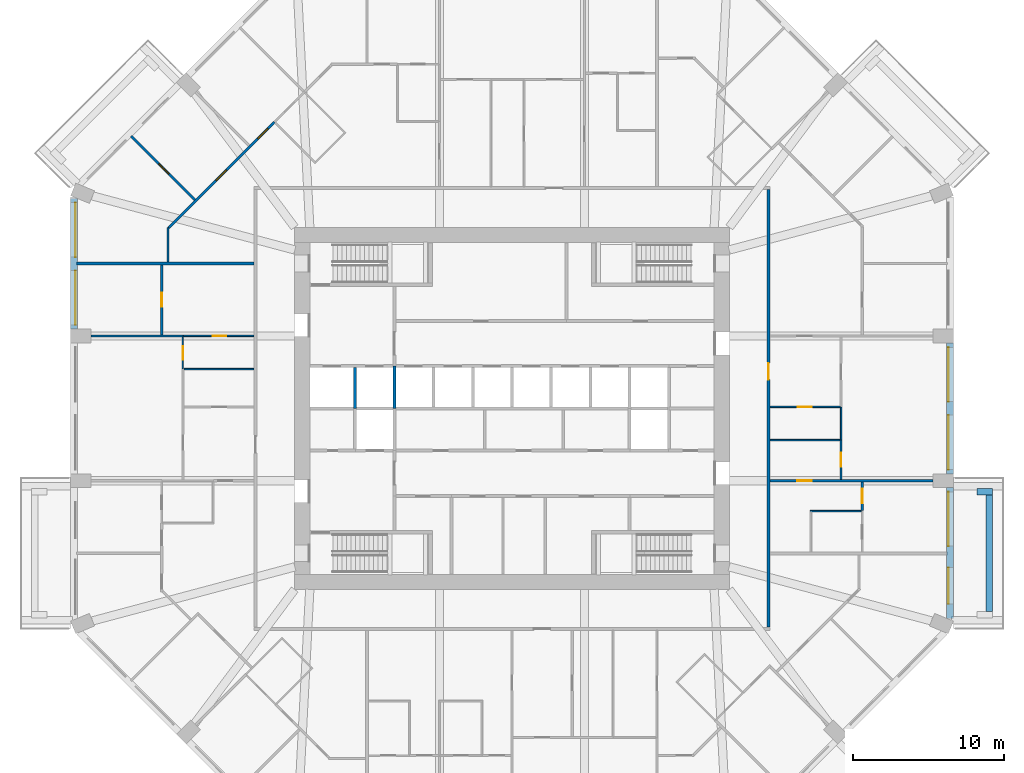
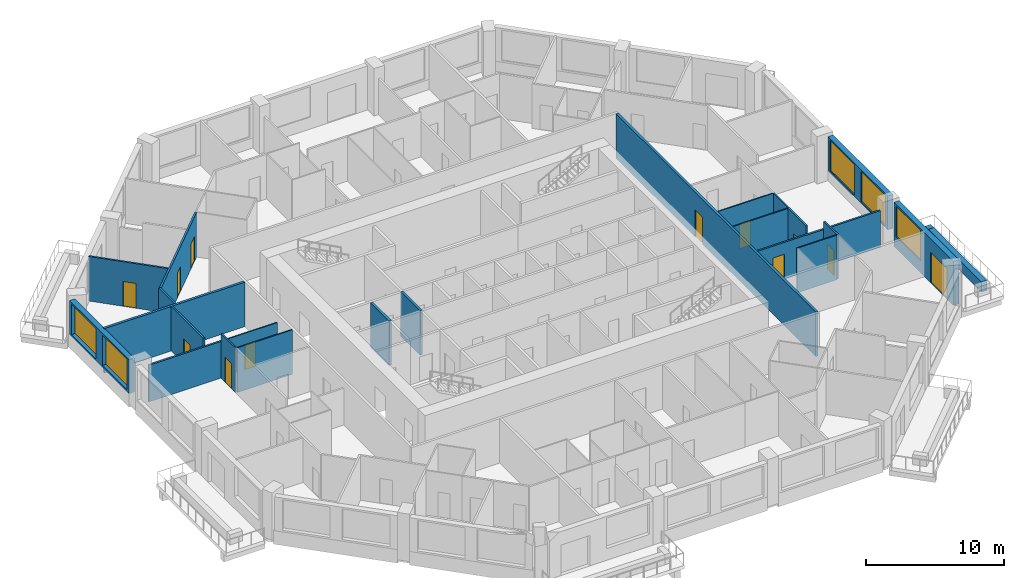
# One storey, part 7 of 13: 24 walls, 12 doors, 5 windows, 17 openings.
"""IFC4 building model written with IfcOpenShell, lengths in metres."""

from ifc_helpers import new_model, si_unit, direction, frame, frame_2d, origin, place, context, subcontext, project, spatial, rectangle, extrude, material, layer, layer_set, type_object, element, fill, save


model = new_model("IFC4")

# Units and contexts
model_context = context("Model", 3, precision=1e-05, world=origin(), true_north=direction((0.0, 1.0)))
body_context = subcontext(model_context, "Body", "Model", "MODEL_VIEW")
ifc_project = project(units=[si_unit("LENGTHUNIT", "METRE"), si_unit("AREAUNIT", "SQUARE_METRE"), si_unit("VOLUMEUNIT", "CUBIC_METRE"), si_unit("PLANEANGLEUNIT", "RADIAN"), si_unit("MASSUNIT", "GRAM", prefix="KILO")], contexts=[model_context])

# Site, building, storey
site_placement = place(None, origin())
site = spatial("IfcSite", under=ifc_project, at=site_placement, CompositionType="ELEMENT")
building_placement = place(site_placement, origin())
building = spatial("IfcBuilding", under=site, at=building_placement, Name="Msitu Wima Residences", CompositionType="ELEMENT")
storey_placement = place(building_placement, frame((0.0, 0.0, 54.89990234375)))
storey = spatial("IfcBuildingStorey", under=building, at=storey_placement, Name="L12", CompositionType="ELEMENT", Elevation=54.89990234375)

# Walls
ifc_material_1 = material(Name="Facing brick")
ifc_layer_1 = layer(ifc_material_1, 0.06494140625, Name="Facing brick")
ifc_material_2 = material(Name="Concrete C40/50", Category="concrete")
ifc_layer_2 = layer(ifc_material_2, 0.156005859375, Name="Concrete C40/50")
ifc_material_3 = material(Name="Waterproofing membrane")
ifc_layer_3 = layer(ifc_material_3, 0.00390625, Name="Waterproofing membrane")
ifc_material_4 = material(Name="Planting soil and planting")
ifc_layer_4 = layer(ifc_material_4, 0.22509765625, Name="Planting soil and planting")
ifc_layer_set_1 = layer_set([ifc_layer_1, ifc_layer_2, ifc_layer_3, ifc_layer_4], Name="Concrete C40/50")
wall_type_1 = type_object("IfcWallType", Name="Balcony planter PLANTER PL450", PredefinedType="USERDEFINED", material=ifc_layer_set_1)
wall_1_placement = place(storey_placement, frame((31.625, -13.449951171875, 0.0), z_axis=(0.0, 0.0, 1.0), x_axis=(0.0, 1.0, 0.0)))
element("IfcWall", 1, at=wall_1_placement, inside=storey, type_object=wall_type_1, Name="Balcony planter E0 L12", ObjectType="PLANTER", PredefinedType="USERDEFINED", context=body_context, shape_type="SweptSolid", body=[
    extrude(rectangle(XDim=7.699951171875, YDim=0.449951171875, at=frame_2d((3.85009765625, 0.0))), origin(), (0.0, 0.0, 1.0), 0.900146484375),
])
wall_2_placement = place(storey_placement, frame((30.800048828125, -5.52490234375, 0.0), z_axis=(0.0, 0.0, 1.0), x_axis=(1.0, 0.0, 0.0)))
element("IfcWall", 2, at=wall_2_placement, inside=storey, type_object=wall_type_1, Name="Balcony planter E0 L12", ObjectType="PLANTER", PredefinedType="USERDEFINED", context=body_context, shape_type="SweptSolid", body=[
    extrude(rectangle(XDim=1.050048828125, YDim=0.449951171875, at=frame_2d((0.52490234375, 0.0))), origin(), (0.0, 0.0, 1.0), 0.900146484375),
])

# Wall, openings, door, window
ifc_material_5 = material(Name="Brick (red buff mix)", Category="masonry")
ifc_layer_5 = layer(ifc_material_5, 0.449951171875)
ifc_layer_set_2 = layer_set([ifc_layer_5], Name="Brick (red buff mix)")
wall_type_2 = type_object("IfcWallType", Name="Brick infill wall BW450", PredefinedType="SOLIDWALL", material=ifc_layer_set_2)
wall_3_placement = place(storey_placement, frame((29.02490234375, -13.912841796875, 0.0), z_axis=(0.0, 0.0, 1.0), x_axis=(0.0, 1.0, 0.0)))
wall_3 = element("IfcWall", 3, at=wall_3_placement, inside=storey, type_object=wall_type_2, Name="Brick infill wall L12 E0", PredefinedType="SOLIDWALL", context=body_context, shape_type="SweptSolid", body=[
    extrude(rectangle(XDim=8.662841796875, YDim=0.449951171875, at=frame_2d((4.33154296875, 0.0))), origin(), (0.0, 0.0, 1.0), 3.900146484375),
])
opening_1_placement = place(wall_3_placement, frame((0.9658203125, 0.0, 0.0)))
opening_1 = element("IfcOpeningElement", 4, at=opening_1_placement, cuts=wall_3, Name="Opening D11-12.001", PredefinedType="OPENING", context=body_context, shape_type="SweptSolid", body=[
    extrude(rectangle(XDim=2.39990234375, YDim=2.699951171875, at=frame_2d((1.199951171875, 1.35009765625))), frame((0.0, 0.23486328125, 0.0), z_axis=(0.0, -1.0, 0.0), x_axis=(1.0, 0.0, 0.0)), (0.0, 0.0, 1.0), 0.469970703125),
])
opening_2_placement = place(wall_3_placement, frame((4.781494140625, 0.0, 1.050048828125)))
opening_2 = element("IfcOpeningElement", 5, at=opening_2_placement, cuts=wall_3, Name="Opening W11-12.001", PredefinedType="OPENING", context=body_context, shape_type="SweptSolid", body=[
    extrude(rectangle(XDim=3.60009765625, YDim=2.699951171875, at=frame_2d((1.800048828125, 1.35009765625))), frame((0.0, 0.23486328125, 0.0), z_axis=(0.0, -1.0, 0.0), x_axis=(1.0, 0.0, 0.0)), (0.0, 0.0, 1.0), 0.469970703125),
])
ifc_material_6 = material(Name="Anodised aluminium, bronze finish, clear low-emissivity double glazing", Category="aluminium")
door_type_1 = type_object("IfcDoorType", Name="Balcony door D2400x2700", OperationType="SLIDING_TO_LEFT", PredefinedType="DOOR", material=ifc_material_6)
door_1_placement = place(opening_1_placement, origin())
door_1 = element("IfcDoor", 6, at=door_1_placement, inside=storey, type_object=door_type_1, Name="Balcony door L12 E0", OperationType="SINGLE_SWING_LEFT", OverallHeight=2.699951171875, OverallWidth=2.39990234375, PredefinedType="DOOR", context=body_context, shape_type="SweptSolid", body=[
    extrude(rectangle(XDim=2.39990234375, YDim=2.699951171875, at=frame_2d((1.199951171875, 1.35009765625))), frame((0.0, 0.1298828125, 0.0), z_axis=(0.0, -1.0, 0.0), x_axis=(1.0, 0.0, 0.0)), (0.0, 0.0, 1.0), 0.050048828125),
])
fill(opening_1, door_1)
window_type = type_object("IfcWindowType", Name="Window W3600x2700", PartitioningType="DOUBLE_PANEL_VERTICAL", PredefinedType="WINDOW", material=ifc_material_6)
window_1_placement = place(opening_2_placement, origin())
window_1 = element("IfcWindow", 7, at=window_1_placement, inside=storey, type_object=window_type, Name="Window L12 E0.2", OverallHeight=2.699951171875, OverallWidth=3.60009765625, PartitioningType="SINGLE_PANEL", PredefinedType="WINDOW", context=body_context, shape_type="SweptSolid", body=[
    extrude(rectangle(XDim=3.60009765625, YDim=2.699951171875, at=frame_2d((1.800048828125, 1.35009765625))), frame((0.0, 0.135009765625, 0.0), z_axis=(0.0, -1.0, 0.0), x_axis=(1.0, 0.0, 0.0)), (0.0, 0.0, 1.0), 0.06005859375),
])
fill(opening_2, window_1)

# Wall, openings, windows
wall_4_placement = place(storey_placement, frame((29.02490234375, -4.35009765625, 0.900146484375), z_axis=(0.0, 0.0, 1.0), x_axis=(0.0, 1.0, 0.0)))
wall_4 = element("IfcWall", 8, at=wall_4_placement, inside=storey, type_object=wall_type_2, Name="Brick infill wall L12 E1", PredefinedType="SOLIDWALL", context=body_context, shape_type="SweptSolid", body=[
    extrude(rectangle(XDim=8.7001953125, YDim=0.449951171875, at=frame_2d((4.35009765625, 0.0))), origin(), (0.0, 0.0, 1.0), 3.0),
])
opening_3_placement = place(wall_4_placement, frame((0.300048828125, 0.0, 0.14990234375)))
opening_3 = element("IfcOpeningElement", 9, at=opening_3_placement, cuts=wall_4, Name="Opening W11-12.002", PredefinedType="OPENING", context=body_context, shape_type="SweptSolid", body=[
    extrude(rectangle(XDim=3.60009765625, YDim=2.699951171875, at=frame_2d((1.800048828125, 1.35009765625))), frame((0.0, 0.23486328125, 0.0), z_axis=(0.0, -1.0, 0.0), x_axis=(1.0, 0.0, 0.0)), (0.0, 0.0, 1.0), 0.469970703125),
])
opening_4_placement = place(wall_4_placement, frame((4.800048828125, 0.0, 0.14990234375)))
opening_4 = element("IfcOpeningElement", 10, at=opening_4_placement, cuts=wall_4, Name="Opening W11-12.003", PredefinedType="OPENING", context=body_context, shape_type="SweptSolid", body=[
    extrude(rectangle(XDim=3.60009765625, YDim=2.699951171875, at=frame_2d((1.800048828125, 1.35009765625))), frame((0.0, 0.23486328125, 0.0), z_axis=(0.0, -1.0, 0.0), x_axis=(1.0, 0.0, 0.0)), (0.0, 0.0, 1.0), 0.469970703125),
])
window_2_placement = place(opening_3_placement, origin())
window_2 = element("IfcWindow", 11, at=window_2_placement, inside=storey, type_object=window_type, Name="Window L12 E1.1", OverallHeight=2.699951171875, OverallWidth=3.60009765625, PartitioningType="SINGLE_PANEL", PredefinedType="WINDOW", context=body_context, shape_type="SweptSolid", body=[
    extrude(rectangle(XDim=3.60009765625, YDim=2.699951171875, at=frame_2d((1.800048828125, 1.35009765625))), frame((0.0, 0.135009765625, 0.0), z_axis=(0.0, -1.0, 0.0), x_axis=(1.0, 0.0, 0.0)), (0.0, 0.0, 1.0), 0.06005859375),
])
fill(opening_3, window_2)
window_3_placement = place(opening_4_placement, origin())
window_3 = element("IfcWindow", 12, at=window_3_placement, inside=storey, type_object=window_type, Name="Window L12 E1.2", OverallHeight=2.699951171875, OverallWidth=3.60009765625, PartitioningType="SINGLE_PANEL", PredefinedType="WINDOW", context=body_context, shape_type="SweptSolid", body=[
    extrude(rectangle(XDim=3.60009765625, YDim=2.699951171875, at=frame_2d((1.800048828125, 1.35009765625))), frame((0.0, 0.135009765625, 0.0), z_axis=(0.0, -1.0, 0.0), x_axis=(1.0, 0.0, 0.0)), (0.0, 0.0, 1.0), 0.06005859375),
])
fill(opening_4, window_3)

wall_5_placement = place(storey_placement, frame((-29.02490234375, 13.912841796875, 0.900146484375), z_axis=(0.0, 0.0, 1.0), x_axis=(0.0, -1.0, 0.0)))
wall_5 = element("IfcWall", 13, at=wall_5_placement, inside=storey, type_object=wall_type_2, Name="Brick infill wall L12 W0", PredefinedType="SOLIDWALL", context=body_context, shape_type="SweptSolid", body=[
    extrude(rectangle(XDim=8.662841796875, YDim=0.449951171875, at=frame_2d((4.33154296875, 0.0))), origin(), (0.0, 0.0, 1.0), 3.0),
])
opening_5_placement = place(wall_5_placement, frame((0.281494140625, 0.0, 0.14990234375)))
opening_5 = element("IfcOpeningElement", 14, at=opening_5_placement, cuts=wall_5, Name="Opening W11-12.029", PredefinedType="OPENING", context=body_context, shape_type="SweptSolid", body=[
    extrude(rectangle(XDim=3.60009765625, YDim=2.699951171875, at=frame_2d((1.800048828125, 1.35009765625))), frame((0.0, 0.23486328125, 0.0), z_axis=(0.0, -1.0, 0.0), x_axis=(1.0, 0.0, 0.0)), (0.0, 0.0, 1.0), 0.469970703125),
])
opening_6_placement = place(wall_5_placement, frame((4.781494140625, 0.0, 0.14990234375)))
opening_6 = element("IfcOpeningElement", 15, at=opening_6_placement, cuts=wall_5, Name="Opening W11-12.030", PredefinedType="OPENING", context=body_context, shape_type="SweptSolid", body=[
    extrude(rectangle(XDim=3.60009765625, YDim=2.699951171875, at=frame_2d((1.800048828125, 1.35009765625))), frame((0.0, 0.23486328125, 0.0), z_axis=(0.0, -1.0, 0.0), x_axis=(1.0, 0.0, 0.0)), (0.0, 0.0, 1.0), 0.469970703125),
])
window_4_placement = place(opening_5_placement, origin())
window_4 = element("IfcWindow", 16, at=window_4_placement, inside=storey, type_object=window_type, Name="Window L12 W0.1", OverallHeight=2.699951171875, OverallWidth=3.60009765625, PartitioningType="SINGLE_PANEL", PredefinedType="WINDOW", context=body_context, shape_type="SweptSolid", body=[
    extrude(rectangle(XDim=3.60009765625, YDim=2.699951171875, at=frame_2d((1.800048828125, 1.35009765625))), frame((0.0, 0.135009765625, 0.0), z_axis=(0.0, -1.0, 0.0), x_axis=(1.0, 0.0, 0.0)), (0.0, 0.0, 1.0), 0.06005859375),
])
fill(opening_5, window_4)
window_5_placement = place(opening_6_placement, origin())
window_5 = element("IfcWindow", 17, at=window_5_placement, inside=storey, type_object=window_type, Name="Window L12 W0.2", OverallHeight=2.699951171875, OverallWidth=3.60009765625, PartitioningType="SINGLE_PANEL", PredefinedType="WINDOW", context=body_context, shape_type="SweptSolid", body=[
    extrude(rectangle(XDim=3.60009765625, YDim=2.699951171875, at=frame_2d((1.800048828125, 1.35009765625))), frame((0.0, 0.135009765625, 0.0), z_axis=(0.0, -1.0, 0.0), x_axis=(1.0, 0.0, 0.0)), (0.0, 0.0, 1.0), 0.06005859375),
])
fill(opening_6, window_5)

# Wall, opening, door
ifc_material_7 = material(Name="Plaster")
ifc_layer_6 = layer(ifc_material_7, 0.011962890625, Name="Plaster")
ifc_material_8 = material(Name="Concrete blockwork", Category="masonry")
ifc_layer_7 = layer(ifc_material_8, 0.176025390625, Name="Concrete blockwork")
ifc_layer_8 = layer(ifc_material_7, 0.011962890625, Name="Plaster")
ifc_layer_set_3 = layer_set([ifc_layer_6, ifc_layer_7, ifc_layer_8], Name="Concrete blockwork")
wall_type_3 = type_object("IfcWallType", Name="Corridor wall FW200", PredefinedType="PARTITIONING", material=ifc_layer_set_3)
wall_6_placement = place(storey_placement, frame((17.0, -14.5, 0.0), z_axis=(0.0, 0.0, 1.0), x_axis=(0.0, 1.0, 0.0)))
wall_6 = element("IfcWall", 18, at=wall_6_placement, inside=storey, type_object=wall_type_3, Name="Corridor wall", PredefinedType="PARTITIONING", context=body_context, shape_type="SweptSolid", body=[
    extrude(rectangle(XDim=29.0, YDim=0.199951171875, at=frame_2d((14.5, 0.0))), origin(), (0.0, 0.0, 1.0), 3.9501953125),
])
opening_7_placement = place(wall_6_placement, frame((16.39990234375, 0.0, 0.0)))
opening_7 = element("IfcOpeningElement", 19, at=opening_7_placement, cuts=wall_6, Name="Opening D11-12.008", PredefinedType="OPENING", context=body_context, shape_type="SweptSolid", body=[
    extrude(rectangle(XDim=1.10009765625, YDim=2.39990234375, at=frame_2d((0.550048828125, 1.199951171875))), frame((0.0, 0.10986328125, 0.0), z_axis=(0.0, -1.0, 0.0), x_axis=(1.0, 0.0, 0.0)), (0.0, 0.0, 1.0), 0.219970703125),
])
ifc_material_9 = material(Name="Timber flush door, fire resisting, self-closing", Category="wood")
door_type_2 = type_object("IfcDoorType", Name="Flat entrance door D01 1100x2400", OperationType="SINGLE_SWING_LEFT", PredefinedType="DOOR", material=ifc_material_9)
door_2_placement = place(opening_7_placement, origin())
door_2 = element("IfcDoor", 20, at=door_2_placement, inside=storey, type_object=door_type_2, Name="Flat entrance door", OperationType="SINGLE_SWING_LEFT", OverallHeight=2.39990234375, OverallWidth=1.10009765625, PredefinedType="DOOR", context=body_context, shape_type="SweptSolid", body=[
    extrude(rectangle(XDim=1.10009765625, YDim=2.39990234375, at=frame_2d((0.550048828125, 1.199951171875))), frame((0.0, 0.02490234375, 0.0), z_axis=(0.0, -1.0, 0.0), x_axis=(1.0, 0.0, 0.0)), (0.0, 0.0, 1.0), 0.050048828125),
])
fill(opening_7, door_2)

# Wall
ifc_layer_9 = layer(ifc_material_7, 0.011962890625, Name="Plaster")
ifc_layer_10 = layer(ifc_material_8, 0.1259765625, Name="Concrete blockwork")
ifc_layer_11 = layer(ifc_material_7, 0.011962890625, Name="Plaster")
ifc_layer_set_4 = layer_set([ifc_layer_9, ifc_layer_10, ifc_layer_11], Name="Concrete blockwork")
wall_type_4 = type_object("IfcWallType", Name="Partition PW150", PredefinedType="PARTITIONING", material=ifc_layer_set_4)
wall_7_placement = place(storey_placement, frame((-27.89990234375, 4.800048828125, 0.0), z_axis=(0.0, 0.0, 1.0), x_axis=(1.0, 0.0, 0.0)))
element("IfcWall", 21, at=wall_7_placement, inside=storey, type_object=wall_type_4, Name="Partition", PredefinedType="PARTITIONING", context=body_context, shape_type="SweptSolid", body=[
    extrude(rectangle(XDim=6.119873046875, YDim=0.14990234375, at=frame_2d((3.06005859375, 0.0))), origin(), (0.0, 0.0, 1.0), 3.25),
])

# Wall, opening, door
wall_8_placement = place(storey_placement, frame((-25.23876953125, 18.038818359375, 0.0), z_axis=(0.0, 0.0, 1.0), x_axis=(0.707086367289, -0.707127194494, 0.0)))
wall_8 = element("IfcWall", 22, at=wall_8_placement, inside=storey, type_object=wall_type_4, Name="Partition", PredefinedType="PARTITIONING", context=body_context, shape_type="SweptSolid", body=[
    extrude(rectangle(XDim=5.979736328125, YDim=0.14990234375, at=frame_2d((2.98974609375, 0.0))), origin(), (0.0, 0.0, 1.0), 3.9501953125),
])
opening_8_placement = place(wall_8_placement, frame((2.60009765625, 0.0, 0.0)))
opening_8 = element("IfcOpeningElement", 23, at=opening_8_placement, cuts=wall_8, Name="Opening D11-12.055", PredefinedType="OPENING", context=body_context, shape_type="SweptSolid", body=[
    extrude(rectangle(XDim=0.949951171875, YDim=2.199951171875, at=frame_2d((0.47509765625, 1.10009765625))), frame((0.0, 0.0849609375, 0.0), z_axis=(0.0, -1.0, 0.0), x_axis=(1.0, 0.0, 0.0)), (0.0, 0.0, 1.0), 0.169921875),
])
ifc_material_10 = material(Name="Timber flush door", Category="wood")
door_type_3 = type_object("IfcDoorType", Name="Room door D12 950x2200", OperationType="SINGLE_SWING_LEFT", PredefinedType="DOOR", material=ifc_material_10)
door_3_placement = place(opening_8_placement, origin())
door_3 = element("IfcDoor", 24, at=door_3_placement, inside=storey, type_object=door_type_3, Name="Room door", OperationType="SINGLE_SWING_LEFT", OverallHeight=2.199951171875, OverallWidth=0.949951171875, PredefinedType="DOOR", context=body_context, shape_type="SweptSolid", body=[
    extrude(rectangle(XDim=0.949951171875, YDim=2.199951171875, at=frame_2d((0.47509765625, 1.10009765625))), frame((0.0, 0.02490234375, 0.0), z_axis=(0.0, -1.0, 0.0), x_axis=(1.0, 0.0, 0.0)), (0.0, 0.0, 1.0), 0.050048828125),
])
fill(opening_8, door_3)

wall_9_placement = place(storey_placement, frame((-23.199951171875, 4.875, 0.0), z_axis=(0.0, 0.0, 1.0), x_axis=(0.0, 1.0, 0.0)))
wall_9 = element("IfcWall", 25, at=wall_9_placement, inside=storey, type_object=wall_type_4, Name="Partition", PredefinedType="PARTITIONING", context=body_context, shape_type="SweptSolid", body=[
    extrude(rectangle(XDim=4.625, YDim=0.14990234375, at=frame_2d((2.3125, 0.0))), origin(), (0.0, 0.0, 1.0), 3.9501953125),
])
opening_9_placement = place(wall_9_placement, frame((1.85009765625, 0.0, 0.0)))
opening_9 = element("IfcOpeningElement", 26, at=opening_9_placement, cuts=wall_9, Name="Opening D11-12.071", PredefinedType="OPENING", context=body_context, shape_type="SweptSolid", body=[
    extrude(rectangle(XDim=0.949951171875, YDim=2.199951171875, at=frame_2d((0.47509765625, 1.10009765625))), frame((0.0, 0.0849609375, 0.0), z_axis=(0.0, -1.0, 0.0), x_axis=(1.0, 0.0, 0.0)), (0.0, 0.0, 1.0), 0.169921875),
])
door_4_placement = place(opening_9_placement, origin())
door_4 = element("IfcDoor", 27, at=door_4_placement, inside=storey, type_object=door_type_3, Name="Room door", OperationType="SINGLE_SWING_RIGHT", OverallHeight=2.199951171875, OverallWidth=0.949951171875, PredefinedType="DOOR", context=body_context, shape_type="SweptSolid", body=[
    extrude(rectangle(XDim=0.949951171875, YDim=2.199951171875, at=frame_2d((0.47509765625, 1.10009765625))), frame((0.0, 0.02490234375, 0.0), z_axis=(0.0, -1.0, 0.0), x_axis=(1.0, 0.0, 0.0)), (0.0, 0.0, 1.0), 0.050048828125),
])
fill(opening_9, door_4)

# Wall
wall_10_placement = place(storey_placement, frame((-22.800048828125, 9.699951171875, 0.0), z_axis=(0.0, 0.0, 1.0), x_axis=(0.0, 1.0, 0.0)))
element("IfcWall", 28, at=wall_10_placement, inside=storey, type_object=wall_type_4, Name="Partition", PredefinedType="PARTITIONING", context=body_context, shape_type="SweptSolid", body=[
    extrude(rectangle(XDim=2.289794921875, YDim=0.14990234375, at=frame_2d((1.14501953125, 0.0))), origin(), (0.0, 0.0, 1.0), 3.9501953125),
])

# Wall, openings, doors
wall_11_placement = place(storey_placement, frame((-22.7470703125, 11.9677734375, 0.0), z_axis=(0.0, 0.0, 1.0), x_axis=(0.707106781187, 0.707106781187, 0.0)))
wall_11 = element("IfcWall", 29, at=wall_11_placement, inside=storey, type_object=wall_type_4, Name="Partition", PredefinedType="PARTITIONING", context=body_context, shape_type="SweptSolid", body=[
    extrude(rectangle(XDim=9.913330078125, YDim=0.14990234375, at=frame_2d((4.95654296875, 0.0))), origin(), (0.0, 0.0, 1.0), 3.9501953125),
])
opening_10_placement = place(wall_11_placement, frame((4.449951171875, 0.0, 0.0)))
opening_10 = element("IfcOpeningElement", 30, at=opening_10_placement, cuts=wall_11, Name="Opening D11-12.050", PredefinedType="OPENING", context=body_context, shape_type="SweptSolid", body=[
    extrude(rectangle(XDim=0.949951171875, YDim=2.199951171875, at=frame_2d((0.47509765625, 1.10009765625))), frame((0.0, 0.0849609375, 0.0), z_axis=(0.0, -1.0, 0.0), x_axis=(1.0, 0.0, 0.0)), (0.0, 0.0, 1.0), 0.169921875),
])
opening_11_placement = place(wall_11_placement, frame((8.35009765625, 0.0, 0.0)))
opening_11 = element("IfcOpeningElement", 31, at=opening_11_placement, cuts=wall_11, Name="Opening D11-12.051", PredefinedType="OPENING", context=body_context, shape_type="SweptSolid", body=[
    extrude(rectangle(XDim=0.949951171875, YDim=2.199951171875, at=frame_2d((0.47509765625, 1.10009765625))), frame((0.0, 0.0849609375, 0.0), z_axis=(0.0, -1.0, 0.0), x_axis=(1.0, 0.0, 0.0)), (0.0, 0.0, 1.0), 0.169921875),
])
door_5_placement = place(opening_10_placement, origin())
door_5 = element("IfcDoor", 32, at=door_5_placement, inside=storey, type_object=door_type_3, Name="Room door", OperationType="SINGLE_SWING_LEFT", OverallHeight=2.199951171875, OverallWidth=0.949951171875, PredefinedType="DOOR", context=body_context, shape_type="SweptSolid", body=[
    extrude(rectangle(XDim=0.949951171875, YDim=2.199951171875, at=frame_2d((0.47509765625, 1.10009765625))), frame((0.0, 0.02490234375, 0.0), z_axis=(0.0, -1.0, 0.0), x_axis=(1.0, 0.0, 0.0)), (0.0, 0.0, 1.0), 0.050048828125),
])
fill(opening_10, door_5)
door_6_placement = place(opening_11_placement, origin())
door_6 = element("IfcDoor", 33, at=door_6_placement, inside=storey, type_object=door_type_3, Name="Room door", OperationType="SINGLE_SWING_LEFT", OverallHeight=2.199951171875, OverallWidth=0.949951171875, PredefinedType="DOOR", context=body_context, shape_type="SweptSolid", body=[
    extrude(rectangle(XDim=0.949951171875, YDim=2.199951171875, at=frame_2d((0.47509765625, 1.10009765625))), frame((0.0, 0.02490234375, 0.0), z_axis=(0.0, -1.0, 0.0), x_axis=(1.0, 0.0, 0.0)), (0.0, 0.0, 1.0), 0.050048828125),
])
fill(opening_11, door_6)

# Wall, opening, door
wall_12_placement = place(storey_placement, frame((17.10009765625, -4.800048828125, 0.0), z_axis=(0.0, 0.0, 1.0), x_axis=(1.0, 0.0, 0.0)))
wall_12 = element("IfcWall", 34, at=wall_12_placement, inside=storey, type_object=wall_type_4, Name="Partition", PredefinedType="PARTITIONING", context=body_context, shape_type="SweptSolid", body=[
    extrude(rectangle(XDim=10.7998046875, YDim=0.14990234375, at=frame_2d((5.39990234375, 0.0))), origin(), (0.0, 0.0, 1.0), 3.25),
])
opening_12_placement = place(wall_12_placement, frame((1.800048828125, 0.0, 0.0)))
opening_12 = element("IfcOpeningElement", 35, at=opening_12_placement, cuts=wall_12, Name="Opening D11-12.039", PredefinedType="OPENING", context=body_context, shape_type="SweptSolid", body=[
    extrude(rectangle(XDim=0.949951171875, YDim=2.199951171875, at=frame_2d((0.47509765625, 1.10009765625))), frame((0.0, 0.0849609375, 0.0), z_axis=(0.0, -1.0, 0.0), x_axis=(1.0, 0.0, 0.0)), (0.0, 0.0, 1.0), 0.169921875),
])
door_7_placement = place(opening_12_placement, origin())
door_7 = element("IfcDoor", 36, at=door_7_placement, inside=storey, type_object=door_type_3, Name="Room door", OperationType="SINGLE_SWING_LEFT", OverallHeight=2.199951171875, OverallWidth=0.949951171875, PredefinedType="DOOR", context=body_context, shape_type="SweptSolid", body=[
    extrude(rectangle(XDim=0.949951171875, YDim=2.199951171875, at=frame_2d((0.47509765625, 1.10009765625))), frame((0.0, 0.02490234375, 0.0), z_axis=(0.0, -1.0, 0.0), x_axis=(1.0, 0.0, 0.0)), (0.0, 0.0, 1.0), 0.050048828125),
])
fill(opening_12, door_7)

wall_13_placement = place(storey_placement, frame((21.800048828125, -4.72509765625, 0.0), z_axis=(0.0, 0.0, 1.0), x_axis=(0.0, 1.0, 0.0)))
wall_13 = element("IfcWall", 37, at=wall_13_placement, inside=storey, type_object=wall_type_4, Name="Partition", PredefinedType="PARTITIONING", context=body_context, shape_type="SweptSolid", body=[
    extrude(rectangle(XDim=2.64501953125, YDim=0.14990234375, at=frame_2d((1.322509765625, 0.0))), origin(), (0.0, 0.0, 1.0), 3.9501953125),
])
opening_13_placement = place(wall_13_placement, frame((0.85009765625, 0.0, 0.0)))
opening_13 = element("IfcOpeningElement", 38, at=opening_13_placement, cuts=wall_13, Name="Opening D11-12.038", PredefinedType="OPENING", context=body_context, shape_type="SweptSolid", body=[
    extrude(rectangle(XDim=0.949951171875, YDim=2.199951171875, at=frame_2d((0.47509765625, 1.10009765625))), frame((0.0, 0.0849609375, 0.0), z_axis=(0.0, -1.0, 0.0), x_axis=(1.0, 0.0, 0.0)), (0.0, 0.0, 1.0), 0.169921875),
])
door_8_placement = place(opening_13_placement, origin())
door_8 = element("IfcDoor", 39, at=door_8_placement, inside=storey, type_object=door_type_3, Name="Room door", OperationType="SINGLE_SWING_RIGHT", OverallHeight=2.199951171875, OverallWidth=0.949951171875, PredefinedType="DOOR", context=body_context, shape_type="SweptSolid", body=[
    extrude(rectangle(XDim=0.949951171875, YDim=2.199951171875, at=frame_2d((0.47509765625, 1.10009765625))), frame((0.0, 0.02490234375, 0.0), z_axis=(0.0, -1.0, 0.0), x_axis=(1.0, 0.0, 0.0)), (0.0, 0.0, 1.0), 0.050048828125),
])
fill(opening_13, door_8)

wall_14_placement = place(storey_placement, frame((23.199951171875, -6.780029296875, 0.0), z_axis=(0.0, 0.0, 1.0), x_axis=(0.0, 1.0, 0.0)))
wall_14 = element("IfcWall", 40, at=wall_14_placement, inside=storey, type_object=wall_type_4, Name="Partition", PredefinedType="PARTITIONING", context=body_context, shape_type="SweptSolid", body=[
    extrude(rectangle(XDim=1.905029296875, YDim=0.14990234375, at=frame_2d((0.95263671875, 0.0))), origin(), (0.0, 0.0, 1.0), 3.9501953125),
])
opening_14_placement = place(wall_14_placement, frame((0.5, 0.0, 0.0)))
opening_14 = element("IfcOpeningElement", 41, at=opening_14_placement, cuts=wall_14, Name="Opening D11-12.040", PredefinedType="OPENING", context=body_context, shape_type="SweptSolid", body=[
    extrude(rectangle(XDim=0.949951171875, YDim=2.199951171875, at=frame_2d((0.47509765625, 1.10009765625))), frame((0.0, 0.0849609375, 0.0), z_axis=(0.0, -1.0, 0.0), x_axis=(1.0, 0.0, 0.0)), (0.0, 0.0, 1.0), 0.169921875),
])
door_9_placement = place(opening_14_placement, origin())
door_9 = element("IfcDoor", 42, at=door_9_placement, inside=storey, type_object=door_type_3, Name="Room door", OperationType="SINGLE_SWING_LEFT", OverallHeight=2.199951171875, OverallWidth=0.949951171875, PredefinedType="DOOR", context=body_context, shape_type="SweptSolid", body=[
    extrude(rectangle(XDim=0.949951171875, YDim=2.199951171875, at=frame_2d((0.47509765625, 1.10009765625))), frame((0.0, 0.02490234375, 0.0), z_axis=(0.0, -1.0, 0.0), x_axis=(1.0, 0.0, 0.0)), (0.0, 0.0, 1.0), 0.050048828125),
])
fill(opening_14, door_9)

# Walls
ifc_layer_12 = layer(ifc_material_7, 0.011962890625, Name="Plaster")
ifc_material_11 = material(Name="Dense concrete blockwork", Category="masonry")
ifc_layer_13 = layer(ifc_material_11, 0.176025390625, Name="Dense concrete blockwork")
ifc_layer_14 = layer(ifc_material_7, 0.011962890625, Name="Plaster")
ifc_layer_set_5 = layer_set([ifc_layer_12, ifc_layer_13, ifc_layer_14], Name="Dense concrete blockwork")
wall_type_5 = type_object("IfcWallType", Name="Party wall PW200", PredefinedType="PARTITIONING", material=ifc_layer_set_5)
wall_15_placement = place(storey_placement, frame((-28.85498046875, 9.60009765625, 0.0), z_axis=(0.0, 0.0, 1.0), x_axis=(1.0, 0.0, 0.0)))
element("IfcWall", 43, at=wall_15_placement, inside=storey, type_object=wall_type_5, Name="Party wall", PredefinedType="PARTITIONING", context=body_context, shape_type="SweptSolid", body=[
    extrude(rectangle(XDim=11.7548828125, YDim=0.199951171875, at=frame_2d((5.87744140625, 0.0))), origin(), (0.0, 0.0, 1.0), 3.9501953125),
])
ifc_material_12 = material(Name="Fire-rated board")
ifc_layer_15 = layer(ifc_material_12, 0.02490234375, Name="Fire-rated board")
ifc_material_13 = material(Name="Light-gauge stud framing with mineral wool")
ifc_layer_16 = layer(ifc_material_13, 0.14990234375, Name="Light-gauge stud framing with mineral wool")
ifc_layer_17 = layer(ifc_material_12, 0.02490234375, Name="Fire-rated board")
ifc_layer_set_6 = layer_set([ifc_layer_15, ifc_layer_16, ifc_layer_17], Name="Light-gauge stud framing with mineral wool")
wall_type_6 = type_object("IfcWallType", Name="Shaft wall SH200", PredefinedType="PARTITIONING", material=ifc_layer_set_6)
wall_16_placement = place(storey_placement, frame((-10.39990234375, 0.0, 0.0), z_axis=(0.0, 0.0, 1.0), x_axis=(0.0, 1.0, 0.0)))
element("IfcWall", 44, at=wall_16_placement, inside=storey, type_object=wall_type_6, Name="Shaft wall", PredefinedType="PARTITIONING", context=body_context, shape_type="SweptSolid", body=[
    extrude(rectangle(XDim=2.699951171875, YDim=0.199951171875, at=frame_2d((1.35009765625, 0.0))), origin(), (0.0, 0.0, 1.0), 3.9501953125),
])
wall_17_placement = place(storey_placement, frame((-7.800048828125, 0.0, 0.0), z_axis=(0.0, 0.0, 1.0), x_axis=(0.0, 1.0, 0.0)))
element("IfcWall", 45, at=wall_17_placement, inside=storey, type_object=wall_type_6, Name="Shaft wall", PredefinedType="PARTITIONING", context=body_context, shape_type="SweptSolid", body=[
    extrude(rectangle(XDim=2.800048828125, YDim=0.199951171875, at=frame_2d((1.39990234375, 0.0))), origin(), (0.0, 0.0, 1.0), 3.9501953125),
])

# Wall, opening, door
ifc_material_14 = material(Name="Ceramic tiles")
ifc_layer_18 = layer(ifc_material_14, 0.008056640625, Name="Ceramic tiles")
ifc_material_15 = material(Name="Moisture-resistant board")
ifc_layer_19 = layer(ifc_material_15, 0.012451171875, Name="Moisture-resistant board")
ifc_layer_20 = layer(ifc_material_13, 0.06689453125, Name="Light-gauge stud framing with mineral wool")
ifc_layer_21 = layer(ifc_material_15, 0.012451171875, Name="Moisture-resistant board")
ifc_layer_set_7 = layer_set([ifc_layer_18, ifc_layer_19, ifc_layer_20, ifc_layer_21], Name="Light-gauge stud framing with mineral wool")
wall_type_7 = type_object("IfcWallType", Name="Wet wall PW100", PredefinedType="PARTITIONING", material=ifc_layer_set_7)
wall_18_placement = place(storey_placement, frame((-21.780029296875, 4.800048828125, 0.0), z_axis=(0.0, 0.0, 1.0), x_axis=(1.0, 0.0, 0.0)))
wall_18 = element("IfcWall", 46, at=wall_18_placement, inside=storey, type_object=wall_type_7, Name="Wet wall", PredefinedType="PARTITIONING", context=body_context, shape_type="SweptSolid", body=[
    extrude(rectangle(XDim=4.679931640625, YDim=0.10009765625, at=frame_2d((2.33984375, 0.0))), origin(), (0.0, 0.0, 1.0), 3.25),
])
opening_15_placement = place(wall_18_placement, frame((1.949951171875, 0.0, 0.0)))
opening_15 = element("IfcOpeningElement", 47, at=opening_15_placement, cuts=wall_18, Name="Opening D11-12.069", PredefinedType="OPENING", context=body_context, shape_type="SweptSolid", body=[
    extrude(rectangle(XDim=0.89990234375, YDim=2.199951171875, at=frame_2d((0.449951171875, 1.10009765625))), frame((0.0, 0.06005859375, 0.0), z_axis=(0.0, -1.0, 0.0), x_axis=(1.0, 0.0, 0.0)), (0.0, 0.0, 1.0), 0.1201171875),
])
ifc_material_16 = material(Name="Timber flush door, moisture resistant", Category="wood")
door_type_4 = type_object("IfcDoorType", Name="Bathroom door D03 900x2200", OperationType="SINGLE_SWING_LEFT", PredefinedType="DOOR", material=ifc_material_16)
door_10_placement = place(opening_15_placement, origin())
door_10 = element("IfcDoor", 48, at=door_10_placement, inside=storey, type_object=door_type_4, Name="Bathroom door", OperationType="SINGLE_SWING_LEFT", OverallHeight=2.199951171875, OverallWidth=0.89990234375, PredefinedType="DOOR", context=body_context, shape_type="SweptSolid", body=[
    extrude(rectangle(XDim=0.89990234375, YDim=2.199951171875, at=frame_2d((0.449951171875, 1.10009765625))), frame((0.0, 0.02490234375, 0.0), z_axis=(0.0, -1.0, 0.0), x_axis=(1.0, 0.0, 0.0)), (0.0, 0.0, 1.0), 0.050048828125),
])
fill(opening_15, door_10)

wall_19_placement = place(storey_placement, frame((-21.800048828125, 2.6201171875, 0.0), z_axis=(0.0, 0.0, 1.0), x_axis=(0.0, 1.0, 0.0)))
wall_19 = element("IfcWall", 49, at=wall_19_placement, inside=storey, type_object=wall_type_7, Name="Wet wall", PredefinedType="PARTITIONING", context=body_context, shape_type="SweptSolid", body=[
    extrude(rectangle(XDim=2.10498046875, YDim=0.10009765625, at=frame_2d((1.052490234375, 0.0))), origin(), (0.0, 0.0, 1.0), 3.9501953125),
])
opening_16_placement = place(wall_19_placement, frame((0.60009765625, 0.0, 0.0)))
opening_16 = element("IfcOpeningElement", 50, at=opening_16_placement, cuts=wall_19, Name="Opening D11-12.068", PredefinedType="OPENING", context=body_context, shape_type="SweptSolid", body=[
    extrude(rectangle(XDim=0.89990234375, YDim=2.199951171875, at=frame_2d((0.449951171875, 1.10009765625))), frame((0.0, 0.06005859375, 0.0), z_axis=(0.0, -1.0, 0.0), x_axis=(1.0, 0.0, 0.0)), (0.0, 0.0, 1.0), 0.1201171875),
])
door_11_placement = place(opening_16_placement, origin())
door_11 = element("IfcDoor", 51, at=door_11_placement, inside=storey, type_object=door_type_4, Name="Bathroom door", OperationType="SINGLE_SWING_RIGHT", OverallHeight=2.199951171875, OverallWidth=0.89990234375, PredefinedType="DOOR", context=body_context, shape_type="SweptSolid", body=[
    extrude(rectangle(XDim=0.89990234375, YDim=2.199951171875, at=frame_2d((0.449951171875, 1.10009765625))), frame((0.0, 0.02490234375, 0.0), z_axis=(0.0, -1.0, 0.0), x_axis=(1.0, 0.0, 0.0)), (0.0, 0.0, 1.0), 0.050048828125),
])
fill(opening_16, door_11)

# Walls
for number, where, z_axis, x_axis, name in (
    (52, (-21.72509765625, 2.60009765625, 0.0), (0.0, 0.0, 1.0), (1.0, 0.0, 0.0), "Wet wall"),
    (53, (17.10009765625, -2.10009765625, 0.0), (0.0, 0.0, 1.0), (1.0, 0.0, 0.0), "Wet wall"),
):
    element("IfcWall", number, at=place(storey_placement, frame(where, z_axis=z_axis, x_axis=x_axis)), inside=storey, type_object=wall_type_7, Name=name, PredefinedType="PARTITIONING", context=body_context, shape_type="SweptSolid", body=[
        extrude(rectangle(XDim=4.625, YDim=0.10009765625, at=frame_2d((2.3125, 0.0))), origin(), (0.0, 0.0, 1.0), 3.9501953125),
    ])

# Wall, opening, door
wall_20_placement = place(storey_placement, frame((17.10009765625, 0.10009765625, 0.0), z_axis=(0.0, 0.0, 1.0), x_axis=(1.0, 0.0, 0.0)))
wall_20 = element("IfcWall", 54, at=wall_20_placement, inside=storey, type_object=wall_type_7, Name="Wet wall", PredefinedType="PARTITIONING", context=body_context, shape_type="SweptSolid", body=[
    extrude(rectangle(XDim=4.64990234375, YDim=0.10009765625, at=frame_2d((2.324951171875, 0.0))), origin(), (0.0, 0.0, 1.0), 3.9501953125),
])
opening_17_placement = place(wall_20_placement, frame((1.85009765625, 0.0, 0.0)))
opening_17 = element("IfcOpeningElement", 55, at=opening_17_placement, cuts=wall_20, Name="Opening D11-12.048", PredefinedType="OPENING", context=body_context, shape_type="SweptSolid", body=[
    extrude(rectangle(XDim=0.89990234375, YDim=2.199951171875, at=frame_2d((0.449951171875, 1.10009765625))), frame((0.0, 0.06005859375, 0.0), z_axis=(0.0, -1.0, 0.0), x_axis=(1.0, 0.0, 0.0)), (0.0, 0.0, 1.0), 0.1201171875),
])
door_12_placement = place(opening_17_placement, origin())
door_12 = element("IfcDoor", 56, at=door_12_placement, inside=storey, type_object=door_type_4, Name="Bathroom door", OperationType="SINGLE_SWING_RIGHT", OverallHeight=2.199951171875, OverallWidth=0.89990234375, PredefinedType="DOOR", context=body_context, shape_type="SweptSolid", body=[
    extrude(rectangle(XDim=0.89990234375, YDim=2.199951171875, at=frame_2d((0.449951171875, 1.10009765625))), frame((0.0, 0.02490234375, 0.0), z_axis=(0.0, -1.0, 0.0), x_axis=(1.0, 0.0, 0.0)), (0.0, 0.0, 1.0), 0.050048828125),
])
fill(opening_17, door_12)

# Walls
wall_21_placement = place(storey_placement, frame((19.75, -6.800048828125, 0.0), z_axis=(0.0, 0.0, 1.0), x_axis=(1.0, 0.0, 0.0)))
element("IfcWall", 57, at=wall_21_placement, inside=storey, type_object=wall_type_7, Name="Wet wall", PredefinedType="PARTITIONING", context=body_context, shape_type="SweptSolid", body=[
    extrude(rectangle(XDim=3.375, YDim=0.10009765625, at=frame_2d((1.6875, 0.0))), origin(), (0.0, 0.0, 1.0), 3.9501953125),
])
wall_22_placement = place(storey_placement, frame((21.800048828125, -2.080078125, 0.0), z_axis=(0.0, 0.0, 1.0), x_axis=(0.0, 1.0, 0.0)))
element("IfcWall", 58, at=wall_22_placement, inside=storey, type_object=wall_type_7, Name="Wet wall", PredefinedType="PARTITIONING", context=body_context, shape_type="SweptSolid", body=[
    extrude(rectangle(XDim=2.16015625, YDim=0.10009765625, at=frame_2d((1.080078125, 0.0))), origin(), (0.0, 0.0, 1.0), 3.9501953125),
])

save(model, "model.ifc")
